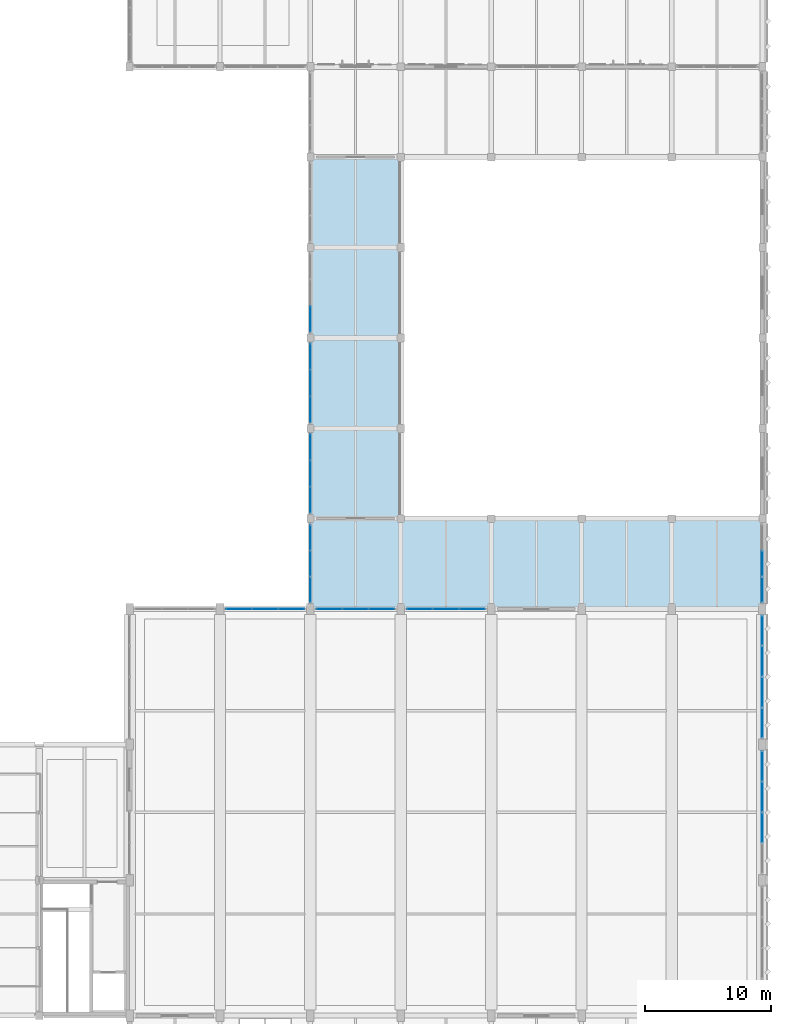
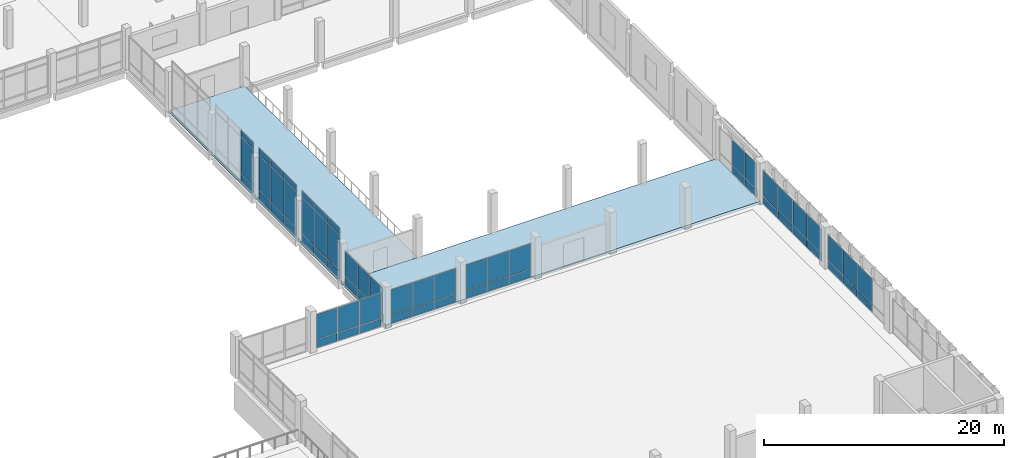
# One storey, part 126 of 158: 63 plates, 2 slabs, 10 elements without a shape of their own.
"""IFC4 building model written with IfcOpenShell, lengths in metres."""

from ifc_helpers import new_model, si_unit, direction, frame, origin, origin_2d, place, context, subcontext, project, spatial, polyline, rectangle, outline, extrude, material, layer, layer_set, type_object, element, aggregate, save


model = new_model("IFC4")

# Units and contexts
model_context = context("Model", 3, precision=1e-05, world=origin(), true_north=direction((0.0, 1.0)))
body_context = subcontext(model_context, "Body", "Model", "MODEL_VIEW")
ifc_project = project(units=[si_unit("LENGTHUNIT", "METRE"), si_unit("AREAUNIT", "SQUARE_METRE"), si_unit("VOLUMEUNIT", "CUBIC_METRE"), si_unit("PLANEANGLEUNIT", "RADIAN"), si_unit("MASSUNIT", "GRAM", prefix="KILO")], contexts=[model_context])

# Site, building, storey
site_placement = place(None, origin())
site = spatial("IfcSite", under=ifc_project, at=site_placement, CompositionType="ELEMENT")
building_placement = place(site_placement, origin())
building = spatial("IfcBuilding", under=site, at=building_placement, Name="Lusvemor Sports Hall", CompositionType="ELEMENT")
storey_placement = place(building_placement, frame((0.0, 0.0, 10.800048828125)))
storey = spatial("IfcBuildingStorey", under=building, at=storey_placement, Name="L02", CompositionType="ELEMENT", Elevation=10.800048828125)

# Curtain wall, plates
ifc_material_1 = material(Name="Thermally broken bronze-anodized aluminium", Category="aluminium")
curtain_wall_type_1 = type_object("IfcCurtainWallType", Name="CW_COURT_C", PredefinedType="NOTDEFINED", material=ifc_material_1)
curtain_wall_1_placement = place(storey_placement, origin())
curtain_wall_1 = element("IfcCurtainWall", 1, at=curtain_wall_1_placement, inside=storey, type_object=curtain_wall_type_1, Name="Curtain Wall CW-V2N-L02-1", PredefinedType="NOTDEFINED")
ifc_material_2 = material(Name="Solar-control laminated double glazing", Category="glass")
ifc_layer_1 = layer(ifc_material_2, 0.028076171875)
ifc_layer_set_1 = layer_set([ifc_layer_1], Name="Solar-control laminated double glazing")
plate_type_1 = type_object("IfcPlateType", Name="CW_PAN_GLZ_28", PredefinedType="CURTAIN_PANEL", material=ifc_layer_set_1)
plate_1_placement = place(storey_placement, frame((127.509521484375, 39.60009765625, 0.8798828125), z_axis=(0.0, 0.0, 1.0), x_axis=(1.0, 0.0, 0.0)))
plate_1 = element("IfcPlate", 2, at=plate_1_placement, type_object=plate_type_1, Name="CW03 panel 1.2", PredefinedType="CURTAIN_PANEL", context=body_context, shape_type="SweptSolid", body=[
    extrude(rectangle(XDim=2.00927734375, YDim=0.028076171875, at=origin_2d()), origin(), (0.0, 0.0, 1.0), 2.56005859375),
])
plate_2_placement = place(storey_placement, frame((129.60009765625, 39.60009765625, 0.8798828125), z_axis=(0.0, 0.0, 1.0), x_axis=(1.0, 0.0, 0.0)))
plate_2 = element("IfcPlate", 3, at=plate_2_placement, type_object=plate_type_1, Name="CW03 panel 2.2", PredefinedType="CURTAIN_PANEL", context=body_context, shape_type="SweptSolid", body=[
    extrude(rectangle(XDim=2.041748046875, YDim=0.028076171875, at=origin_2d()), origin(), (0.0, 0.0, 1.0), 2.56005859375),
])
plate_3_placement = place(storey_placement, frame((131.6904296875, 39.60009765625, 0.8798828125), z_axis=(0.0, 0.0, 1.0), x_axis=(1.0, 0.0, 0.0)))
plate_3 = element("IfcPlate", 4, at=plate_3_placement, type_object=plate_type_1, Name="CW03 panel 3.2", PredefinedType="CURTAIN_PANEL", context=body_context, shape_type="SweptSolid", body=[
    extrude(rectangle(XDim=2.00927734375, YDim=0.028076171875, at=origin_2d()), origin(), (0.0, 0.0, 1.0), 2.56005859375),
])

curtain_wall_2_placement = place(storey_placement, origin())
curtain_wall_2 = element("IfcCurtainWall", 5, at=curtain_wall_2_placement, inside=storey, type_object=curtain_wall_type_1, Name="Curtain Wall CW-V2N-L02-2", PredefinedType="NOTDEFINED")
plate_4_placement = place(storey_placement, frame((134.70947265625, 39.60009765625, 0.8798828125), z_axis=(0.0, 0.0, 1.0), x_axis=(1.0, 0.0, 0.0)))
plate_4 = element("IfcPlate", 6, at=plate_4_placement, type_object=plate_type_1, Name="CW03 panel 1.2", PredefinedType="CURTAIN_PANEL", context=body_context, shape_type="SweptSolid", body=[
    extrude(rectangle(XDim=2.00927734375, YDim=0.028076171875, at=origin_2d()), origin(), (0.0, 0.0, 1.0), 2.56005859375),
])
plate_5_placement = place(storey_placement, frame((136.800048828125, 39.60009765625, 0.8798828125), z_axis=(0.0, 0.0, 1.0), x_axis=(1.0, 0.0, 0.0)))
plate_5 = element("IfcPlate", 7, at=plate_5_placement, type_object=plate_type_1, Name="CW03 panel 2.2", PredefinedType="CURTAIN_PANEL", context=body_context, shape_type="SweptSolid", body=[
    extrude(rectangle(XDim=2.041748046875, YDim=0.028076171875, at=origin_2d()), origin(), (0.0, 0.0, 1.0), 2.56005859375),
])
plate_6_placement = place(storey_placement, frame((138.890380859375, 39.60009765625, 0.8798828125), z_axis=(0.0, 0.0, 1.0), x_axis=(1.0, 0.0, 0.0)))
plate_6 = element("IfcPlate", 8, at=plate_6_placement, type_object=plate_type_1, Name="CW03 panel 3.2", PredefinedType="CURTAIN_PANEL", context=body_context, shape_type="SweptSolid", body=[
    extrude(rectangle(XDim=2.00927734375, YDim=0.028076171875, at=origin_2d()), origin(), (0.0, 0.0, 1.0), 2.56005859375),
])

curtain_wall_3_placement = place(storey_placement, origin())
curtain_wall_3 = element("IfcCurtainWall", 9, at=curtain_wall_3_placement, inside=storey, type_object=curtain_wall_type_1, Name="Curtain Wall CW-V2N-L02-3", PredefinedType="NOTDEFINED")
plate_7_placement = place(storey_placement, frame((141.90966796875, 39.60009765625, 0.8798828125), z_axis=(0.0, 0.0, 1.0), x_axis=(1.0, 0.0, 0.0)))
plate_7 = element("IfcPlate", 10, at=plate_7_placement, type_object=plate_type_1, Name="CW03 panel 1.2", PredefinedType="CURTAIN_PANEL", context=body_context, shape_type="SweptSolid", body=[
    extrude(rectangle(XDim=2.00927734375, YDim=0.028076171875, at=origin_2d()), origin(), (0.0, 0.0, 1.0), 2.56005859375),
])
plate_8_placement = place(storey_placement, frame((144.0, 39.60009765625, 0.8798828125), z_axis=(0.0, 0.0, 1.0), x_axis=(1.0, 0.0, 0.0)))
plate_8 = element("IfcPlate", 11, at=plate_8_placement, type_object=plate_type_1, Name="CW03 panel 2.2", PredefinedType="CURTAIN_PANEL", context=body_context, shape_type="SweptSolid", body=[
    extrude(rectangle(XDim=2.041748046875, YDim=0.028076171875, at=origin_2d()), origin(), (0.0, 0.0, 1.0), 2.56005859375),
])
plate_9_placement = place(storey_placement, frame((146.09033203125, 39.60009765625, 0.8798828125), z_axis=(0.0, 0.0, 1.0), x_axis=(1.0, 0.0, 0.0)))
plate_9 = element("IfcPlate", 12, at=plate_9_placement, type_object=plate_type_1, Name="CW03 panel 3.2", PredefinedType="CURTAIN_PANEL", context=body_context, shape_type="SweptSolid", body=[
    extrude(rectangle(XDim=2.00927734375, YDim=0.028076171875, at=origin_2d()), origin(), (0.0, 0.0, 1.0), 2.56005859375),
])

curtain_wall_4_placement = place(storey_placement, origin())
curtain_wall_4 = element("IfcCurtainWall", 13, at=curtain_wall_4_placement, inside=storey, type_object=curtain_wall_type_1, Name="Curtain Wall CW-V2E-L02-2", PredefinedType="NOTDEFINED")
plate_10_placement = place(storey_placement, frame((169.199951171875, 27.07373046875, 0.8798828125), z_axis=(0.0, 0.0, 1.0), x_axis=(0.0, -1.0, 0.0)))
plate_10 = element("IfcPlate", 14, at=plate_10_placement, type_object=plate_type_1, Name="CW03 panel 1.2", PredefinedType="CURTAIN_PANEL", context=body_context, shape_type="SweptSolid", body=[
    extrude(rectangle(XDim=2.362548828125, YDim=0.028076171875, at=origin_2d()), origin(), (0.0, 0.0, 1.0), 2.56005859375),
])
plate_11_placement = place(storey_placement, frame((169.199951171875, 24.6298828125, 0.8798828125), z_axis=(0.0, 0.0, 1.0), x_axis=(0.0, -1.0, 0.0)))
plate_11 = element("IfcPlate", 15, at=plate_11_placement, type_object=plate_type_1, Name="CW03 panel 2.2", PredefinedType="CURTAIN_PANEL", context=body_context, shape_type="SweptSolid", body=[
    extrude(rectangle(XDim=2.39501953125, YDim=0.028076171875, at=origin_2d()), origin(), (0.0, 0.0, 1.0), 2.56005859375),
])
plate_12_placement = place(storey_placement, frame((169.199951171875, 22.169921875, 0.8798828125), z_axis=(0.0, 0.0, 1.0), x_axis=(0.0, -1.0, 0.0)))
plate_12 = element("IfcPlate", 16, at=plate_12_placement, type_object=plate_type_1, Name="CW03 panel 3.2", PredefinedType="CURTAIN_PANEL", context=body_context, shape_type="SweptSolid", body=[
    extrude(rectangle(XDim=2.39501953125, YDim=0.028076171875, at=origin_2d()), origin(), (0.0, 0.0, 1.0), 2.56005859375),
])

curtain_wall_5_placement = place(storey_placement, origin())
curtain_wall_5 = element("IfcCurtainWall", 17, at=curtain_wall_5_placement, inside=storey, type_object=curtain_wall_type_1, Name="Curtain Wall CW-V2E-L02-3", PredefinedType="NOTDEFINED")
plate_13_placement = place(storey_placement, frame((169.199951171875, 37.873779296875, 0.8798828125), z_axis=(0.0, 0.0, 1.0), x_axis=(0.0, -1.0, 0.0)))
plate_13 = element("IfcPlate", 18, at=plate_13_placement, type_object=plate_type_1, Name="CW03 panel 1.2", PredefinedType="CURTAIN_PANEL", context=body_context, shape_type="SweptSolid", body=[
    extrude(rectangle(XDim=2.362548828125, YDim=0.028076171875, at=origin_2d()), origin(), (0.0, 0.0, 1.0), 2.56005859375),
])
plate_14_placement = place(storey_placement, frame((169.199951171875, 35.429931640625, 0.8798828125), z_axis=(0.0, 0.0, 1.0), x_axis=(0.0, -1.0, 0.0)))
plate_14 = element("IfcPlate", 19, at=plate_14_placement, type_object=plate_type_1, Name="CW03 panel 2.2", PredefinedType="CURTAIN_PANEL", context=body_context, shape_type="SweptSolid", body=[
    extrude(rectangle(XDim=2.39501953125, YDim=0.028076171875, at=origin_2d()), origin(), (0.0, 0.0, 1.0), 2.56005859375),
])
plate_15_placement = place(storey_placement, frame((169.199951171875, 32.969970703125, 0.8798828125), z_axis=(0.0, 0.0, 1.0), x_axis=(0.0, -1.0, 0.0)))
plate_15 = element("IfcPlate", 20, at=plate_15_placement, type_object=plate_type_1, Name="CW03 panel 3.2", PredefinedType="CURTAIN_PANEL", context=body_context, shape_type="SweptSolid", body=[
    extrude(rectangle(XDim=2.39501953125, YDim=0.028076171875, at=origin_2d()), origin(), (0.0, 0.0, 1.0), 2.56005859375),
])
plate_16_placement = place(storey_placement, frame((169.199951171875, 30.5263671875, 0.8798828125), z_axis=(0.0, 0.0, 1.0), x_axis=(0.0, -1.0, 0.0)))
plate_16 = element("IfcPlate", 21, at=plate_16_placement, type_object=plate_type_1, Name="CW03 panel 4.2", PredefinedType="CURTAIN_PANEL", context=body_context, shape_type="SweptSolid", body=[
    extrude(rectangle(XDim=2.362548828125, YDim=0.028076171875, at=origin_2d()), origin(), (0.0, 0.0, 1.0), 2.56005859375),
])

ifc_material_3 = material(Name="Thermally broken bronze-anodized aluminium", Category="aluminium")
curtain_wall_type_2 = type_object("IfcCurtainWallType", Name="CW_CLIMB_D", PredefinedType="NOTDEFINED", material=ifc_material_3)
curtain_wall_6_placement = place(storey_placement, origin())
curtain_wall_6 = element("IfcCurtainWall", 22, at=curtain_wall_6_placement, inside=storey, type_object=curtain_wall_type_2, Name="Curtain Wall CW-V3W-L02-0", PredefinedType="NOTDEFINED")
plate_17_placement = place(storey_placement, frame((133.199951171875, 48.296142578125, 0.8798828125), z_axis=(0.0, 0.0, 1.0), x_axis=(0.0, 1.0, 0.0)))
plate_17 = element("IfcPlate", 23, at=plate_17_placement, type_object=plate_type_1, Name="CW04 panel 1.2", PredefinedType="CURTAIN_PANEL", context=body_context, shape_type="SweptSolid", body=[
    extrude(rectangle(XDim=2.0224609375, YDim=0.028076171875, at=origin_2d()), origin(), (0.0, 0.0, 1.0), 3.639892578125),
])
plate_18_placement = place(storey_placement, frame((133.199951171875, 48.296142578125, 4.580078125), z_axis=(0.0, 0.0, 1.0), x_axis=(0.0, 1.0, 0.0)))
plate_18 = element("IfcPlate", 24, at=plate_18_placement, type_object=plate_type_1, Name="CW04 panel 1.3", PredefinedType="CURTAIN_PANEL", context=body_context, shape_type="SweptSolid", body=[
    extrude(rectangle(XDim=2.0224609375, YDim=0.028076171875, at=origin_2d()), origin(), (0.0, 0.0, 1.0), 0.659912109375),
])
plate_19_placement = place(storey_placement, frame((133.199951171875, 50.39990234375, 0.8798828125), z_axis=(0.0, 0.0, 1.0), x_axis=(0.0, 1.0, 0.0)))
plate_19 = element("IfcPlate", 25, at=plate_19_placement, type_object=plate_type_1, Name="CW04 panel 2.2", PredefinedType="CURTAIN_PANEL", context=body_context, shape_type="SweptSolid", body=[
    extrude(rectangle(XDim=2.054931640625, YDim=0.028076171875, at=origin_2d()), origin(), (0.0, 0.0, 1.0), 3.639892578125),
])
plate_20_placement = place(storey_placement, frame((133.199951171875, 50.39990234375, 4.580078125), z_axis=(0.0, 0.0, 1.0), x_axis=(0.0, 1.0, 0.0)))
plate_20 = element("IfcPlate", 26, at=plate_20_placement, type_object=plate_type_1, Name="CW04 panel 2.3", PredefinedType="CURTAIN_PANEL", context=body_context, shape_type="SweptSolid", body=[
    extrude(rectangle(XDim=2.054931640625, YDim=0.028076171875, at=origin_2d()), origin(), (0.0, 0.0, 1.0), 0.659912109375),
])
plate_21_placement = place(storey_placement, frame((133.199951171875, 52.503662109375, 0.8798828125), z_axis=(0.0, 0.0, 1.0), x_axis=(0.0, 1.0, 0.0)))
plate_21 = element("IfcPlate", 27, at=plate_21_placement, type_object=plate_type_1, Name="CW04 panel 3.2", PredefinedType="CURTAIN_PANEL", context=body_context, shape_type="SweptSolid", body=[
    extrude(rectangle(XDim=2.0224609375, YDim=0.028076171875, at=origin_2d()), origin(), (0.0, 0.0, 1.0), 3.639892578125),
])
plate_22_placement = place(storey_placement, frame((133.199951171875, 52.503662109375, 4.580078125), z_axis=(0.0, 0.0, 1.0), x_axis=(0.0, 1.0, 0.0)))
plate_22 = element("IfcPlate", 28, at=plate_22_placement, type_object=plate_type_1, Name="CW04 panel 3.3", PredefinedType="CURTAIN_PANEL", context=body_context, shape_type="SweptSolid", body=[
    extrude(rectangle(XDim=2.0224609375, YDim=0.028076171875, at=origin_2d()), origin(), (0.0, 0.0, 1.0), 0.659912109375),
])

curtain_wall_7_placement = place(storey_placement, origin())
curtain_wall_7 = element("IfcCurtainWall", 29, at=curtain_wall_7_placement, inside=storey, type_object=curtain_wall_type_2, Name="Curtain Wall CW-V3W-L02-1", PredefinedType="NOTDEFINED")
plate_23_placement = place(storey_placement, frame((133.199951171875, 55.496337890625, 0.8798828125), z_axis=(0.0, 0.0, 1.0), x_axis=(0.0, 1.0, 0.0)))
plate_23 = element("IfcPlate", 30, at=plate_23_placement, type_object=plate_type_1, Name="CW04 panel 1.2", PredefinedType="CURTAIN_PANEL", context=body_context, shape_type="SweptSolid", body=[
    extrude(rectangle(XDim=2.0224609375, YDim=0.028076171875, at=origin_2d()), origin(), (0.0, 0.0, 1.0), 3.639892578125),
])
plate_24_placement = place(storey_placement, frame((133.199951171875, 55.496337890625, 4.580078125), z_axis=(0.0, 0.0, 1.0), x_axis=(0.0, 1.0, 0.0)))
plate_24 = element("IfcPlate", 31, at=plate_24_placement, type_object=plate_type_1, Name="CW04 panel 1.3", PredefinedType="CURTAIN_PANEL", context=body_context, shape_type="SweptSolid", body=[
    extrude(rectangle(XDim=2.0224609375, YDim=0.028076171875, at=origin_2d()), origin(), (0.0, 0.0, 1.0), 0.659912109375),
])
plate_25_placement = place(storey_placement, frame((133.199951171875, 57.60009765625, 0.8798828125), z_axis=(0.0, 0.0, 1.0), x_axis=(0.0, 1.0, 0.0)))
plate_25 = element("IfcPlate", 32, at=plate_25_placement, type_object=plate_type_1, Name="CW04 panel 2.2", PredefinedType="CURTAIN_PANEL", context=body_context, shape_type="SweptSolid", body=[
    extrude(rectangle(XDim=2.054931640625, YDim=0.028076171875, at=origin_2d()), origin(), (0.0, 0.0, 1.0), 3.639892578125),
])
plate_26_placement = place(storey_placement, frame((133.199951171875, 57.60009765625, 4.580078125), z_axis=(0.0, 0.0, 1.0), x_axis=(0.0, 1.0, 0.0)))
plate_26 = element("IfcPlate", 33, at=plate_26_placement, type_object=plate_type_1, Name="CW04 panel 2.3", PredefinedType="CURTAIN_PANEL", context=body_context, shape_type="SweptSolid", body=[
    extrude(rectangle(XDim=2.054931640625, YDim=0.028076171875, at=origin_2d()), origin(), (0.0, 0.0, 1.0), 0.659912109375),
])
plate_27_placement = place(storey_placement, frame((133.199951171875, 59.703857421875, 0.8798828125), z_axis=(0.0, 0.0, 1.0), x_axis=(0.0, 1.0, 0.0)))
plate_27 = element("IfcPlate", 34, at=plate_27_placement, type_object=plate_type_1, Name="CW04 panel 3.2", PredefinedType="CURTAIN_PANEL", context=body_context, shape_type="SweptSolid", body=[
    extrude(rectangle(XDim=2.0224609375, YDim=0.028076171875, at=origin_2d()), origin(), (0.0, 0.0, 1.0), 3.639892578125),
])
plate_28_placement = place(storey_placement, frame((133.199951171875, 59.703857421875, 4.580078125), z_axis=(0.0, 0.0, 1.0), x_axis=(0.0, 1.0, 0.0)))
plate_28 = element("IfcPlate", 35, at=plate_28_placement, type_object=plate_type_1, Name="CW04 panel 3.3", PredefinedType="CURTAIN_PANEL", context=body_context, shape_type="SweptSolid", body=[
    extrude(rectangle(XDim=2.0224609375, YDim=0.028076171875, at=origin_2d()), origin(), (0.0, 0.0, 1.0), 0.659912109375),
])

curtain_wall_8_placement = place(storey_placement, origin())
curtain_wall_8 = element("IfcCurtainWall", 36, at=curtain_wall_8_placement, inside=storey, type_object=curtain_wall_type_2, Name="Curtain Wall CW-V3W-L02-2", PredefinedType="NOTDEFINED")
plate_29_placement = place(storey_placement, frame((133.199951171875, 62.6962890625, 0.8798828125), z_axis=(0.0, 0.0, 1.0), x_axis=(0.0, 1.0, 0.0)))
plate_29 = element("IfcPlate", 37, at=plate_29_placement, type_object=plate_type_1, Name="CW04 panel 1.2", PredefinedType="CURTAIN_PANEL", context=body_context, shape_type="SweptSolid", body=[
    extrude(rectangle(XDim=2.0224609375, YDim=0.028076171875, at=origin_2d()), origin(), (0.0, 0.0, 1.0), 3.639892578125),
])
plate_30_placement = place(storey_placement, frame((133.199951171875, 62.6962890625, 4.580078125), z_axis=(0.0, 0.0, 1.0), x_axis=(0.0, 1.0, 0.0)))
plate_30 = element("IfcPlate", 38, at=plate_30_placement, type_object=plate_type_1, Name="CW04 panel 1.3", PredefinedType="CURTAIN_PANEL", context=body_context, shape_type="SweptSolid", body=[
    extrude(rectangle(XDim=2.0224609375, YDim=0.028076171875, at=origin_2d()), origin(), (0.0, 0.0, 1.0), 0.659912109375),
])

ifc_material_4 = material(Name="Thermally broken bronze-anodized aluminium", Category="aluminium")
curtain_wall_type_3 = type_object("IfcCurtainWallType", Name="CW_PASSAGE_E", PredefinedType="NOTDEFINED", material=ifc_material_4)
curtain_wall_9_placement = place(storey_placement, origin())
curtain_wall_9 = element("IfcCurtainWall", 39, at=curtain_wall_9_placement, inside=storey, type_object=curtain_wall_type_3, Name="Curtain Wall CW-ELINK-133-L02", PredefinedType="NOTDEFINED")
plate_31_placement = place(storey_placement, frame((133.199951171875, 41.142822265625, 0.8798828125), z_axis=(0.0, 0.0, 1.0), x_axis=(0.0, 1.0, 0.0)))
plate_31 = element("IfcPlate", 40, at=plate_31_placement, type_object=plate_type_1, Name="CW05 panel 1.2", PredefinedType="CURTAIN_PANEL", context=body_context, shape_type="SweptSolid", body=[
    extrude(rectangle(XDim=1.995849609375, YDim=0.028076171875, at=origin_2d()), origin(), (0.0, 0.0, 1.0), 2.56005859375),
])
plate_32_placement = place(storey_placement, frame((133.199951171875, 43.219970703125, 0.8798828125), z_axis=(0.0, 0.0, 1.0), x_axis=(0.0, 1.0, 0.0)))
plate_32 = element("IfcPlate", 41, at=plate_32_placement, type_object=plate_type_1, Name="CW05 panel 2.2", PredefinedType="CURTAIN_PANEL", context=body_context, shape_type="SweptSolid", body=[
    extrude(rectangle(XDim=2.0283203125, YDim=0.028076171875, at=origin_2d()), origin(), (0.0, 0.0, 1.0), 2.56005859375),
])
plate_33_placement = place(storey_placement, frame((133.199951171875, 45.297119140625, 0.8798828125), z_axis=(0.0, 0.0, 1.0), x_axis=(0.0, 1.0, 0.0)))
plate_33 = element("IfcPlate", 42, at=plate_33_placement, type_object=plate_type_1, Name="CW05 panel 3.2", PredefinedType="CURTAIN_PANEL", context=body_context, shape_type="SweptSolid", body=[
    extrude(rectangle(XDim=1.995849609375, YDim=0.028076171875, at=origin_2d()), origin(), (0.0, 0.0, 1.0), 2.56005859375),
])

curtain_wall_10_placement = place(storey_placement, origin())
curtain_wall_10 = element("IfcCurtainWall", 43, at=curtain_wall_10_placement, inside=storey, type_object=curtain_wall_type_3, Name="Curtain Wall CW-ELINK-169-L02", PredefinedType="NOTDEFINED")
plate_34_placement = place(storey_placement, frame((169.199951171875, 41.142822265625, 0.8798828125), z_axis=(0.0, 0.0, 1.0), x_axis=(0.0, 1.0, 0.0)))
plate_34 = element("IfcPlate", 44, at=plate_34_placement, type_object=plate_type_1, Name="CW05 panel 1.2", PredefinedType="CURTAIN_PANEL", context=body_context, shape_type="SweptSolid", body=[
    extrude(rectangle(XDim=1.995849609375, YDim=0.028076171875, at=origin_2d()), origin(), (0.0, 0.0, 1.0), 2.56005859375),
])
plate_35_placement = place(storey_placement, frame((169.199951171875, 43.219970703125, 0.8798828125), z_axis=(0.0, 0.0, 1.0), x_axis=(0.0, 1.0, 0.0)))
plate_35 = element("IfcPlate", 45, at=plate_35_placement, type_object=plate_type_1, Name="CW05 panel 2.2", PredefinedType="CURTAIN_PANEL", context=body_context, shape_type="SweptSolid", body=[
    extrude(rectangle(XDim=2.0283203125, YDim=0.028076171875, at=origin_2d()), origin(), (0.0, 0.0, 1.0), 2.56005859375),
])

# Plate
ifc_material_5 = material(Name="Emerald polychrome glazed ceramic cladding on Concrete C40/50 backing", Category="concrete")
ifc_layer_2 = layer(ifc_material_5, 0.048095703125)
ifc_layer_set_2 = layer_set([ifc_layer_2], Name="Emerald polychrome glazed ceramic cladding on Concrete C40/50 backing")
plate_type_2 = type_object("IfcPlateType", Name="CW_PAN_SPN_48", PredefinedType="CURTAIN_PANEL", material=ifc_layer_set_2)
plate_36_placement = place(storey_placement, frame((127.509521484375, 39.60009765625, 0.06005859375), z_axis=(0.0, 0.0, 1.0), x_axis=(1.0, 0.0, 0.0)))
plate_36 = element("IfcPlate", 46, at=plate_36_placement, type_object=plate_type_2, Name="CW03 panel 1.1", PredefinedType="CURTAIN_PANEL", context=body_context, shape_type="SweptSolid", body=[
    extrude(rectangle(XDim=2.00927734375, YDim=0.048095703125, at=origin_2d()), origin(), (0.0, 0.0, 1.0), 0.760009765625),
])

plate_37_placement = place(storey_placement, frame((129.60009765625, 39.60009765625, 0.06005859375), z_axis=(0.0, 0.0, 1.0), x_axis=(1.0, 0.0, 0.0)))
plate_37 = element("IfcPlate", 47, at=plate_37_placement, type_object=plate_type_2, Name="CW03 panel 2.1", PredefinedType="CURTAIN_PANEL", context=body_context, shape_type="SweptSolid", body=[
    extrude(rectangle(XDim=2.041748046875, YDim=0.048095703125, at=origin_2d()), origin(), (0.0, 0.0, 1.0), 0.760009765625),
])

plate_38_placement = place(storey_placement, frame((131.6904296875, 39.60009765625, 0.06005859375), z_axis=(0.0, 0.0, 1.0), x_axis=(1.0, 0.0, 0.0)))
plate_38 = element("IfcPlate", 48, at=plate_38_placement, type_object=plate_type_2, Name="CW03 panel 3.1", PredefinedType="CURTAIN_PANEL", context=body_context, shape_type="SweptSolid", body=[
    extrude(rectangle(XDim=2.00927734375, YDim=0.048095703125, at=origin_2d()), origin(), (0.0, 0.0, 1.0), 0.760009765625),
])

aggregate(curtain_wall_1, [plate_36, plate_1, plate_37, plate_2, plate_38, plate_3])

plate_39_placement = place(storey_placement, frame((134.70947265625, 39.60009765625, 0.06005859375), z_axis=(0.0, 0.0, 1.0), x_axis=(1.0, 0.0, 0.0)))
plate_39 = element("IfcPlate", 49, at=plate_39_placement, type_object=plate_type_2, Name="CW03 panel 1.1", PredefinedType="CURTAIN_PANEL", context=body_context, shape_type="SweptSolid", body=[
    extrude(rectangle(XDim=2.00927734375, YDim=0.048095703125, at=origin_2d()), origin(), (0.0, 0.0, 1.0), 0.760009765625),
])

plate_40_placement = place(storey_placement, frame((136.800048828125, 39.60009765625, 0.06005859375), z_axis=(0.0, 0.0, 1.0), x_axis=(1.0, 0.0, 0.0)))
plate_40 = element("IfcPlate", 50, at=plate_40_placement, type_object=plate_type_2, Name="CW03 panel 2.1", PredefinedType="CURTAIN_PANEL", context=body_context, shape_type="SweptSolid", body=[
    extrude(rectangle(XDim=2.041748046875, YDim=0.048095703125, at=origin_2d()), origin(), (0.0, 0.0, 1.0), 0.760009765625),
])

plate_41_placement = place(storey_placement, frame((138.890380859375, 39.60009765625, 0.06005859375), z_axis=(0.0, 0.0, 1.0), x_axis=(1.0, 0.0, 0.0)))
plate_41 = element("IfcPlate", 51, at=plate_41_placement, type_object=plate_type_2, Name="CW03 panel 3.1", PredefinedType="CURTAIN_PANEL", context=body_context, shape_type="SweptSolid", body=[
    extrude(rectangle(XDim=2.00927734375, YDim=0.048095703125, at=origin_2d()), origin(), (0.0, 0.0, 1.0), 0.760009765625),
])

aggregate(curtain_wall_2, [plate_39, plate_4, plate_40, plate_5, plate_41, plate_6])

plate_42_placement = place(storey_placement, frame((141.90966796875, 39.60009765625, 0.06005859375), z_axis=(0.0, 0.0, 1.0), x_axis=(1.0, 0.0, 0.0)))
plate_42 = element("IfcPlate", 52, at=plate_42_placement, type_object=plate_type_2, Name="CW03 panel 1.1", PredefinedType="CURTAIN_PANEL", context=body_context, shape_type="SweptSolid", body=[
    extrude(rectangle(XDim=2.00927734375, YDim=0.048095703125, at=origin_2d()), origin(), (0.0, 0.0, 1.0), 0.760009765625),
])

plate_43_placement = place(storey_placement, frame((144.0, 39.60009765625, 0.06005859375), z_axis=(0.0, 0.0, 1.0), x_axis=(1.0, 0.0, 0.0)))
plate_43 = element("IfcPlate", 53, at=plate_43_placement, type_object=plate_type_2, Name="CW03 panel 2.1", PredefinedType="CURTAIN_PANEL", context=body_context, shape_type="SweptSolid", body=[
    extrude(rectangle(XDim=2.041748046875, YDim=0.048095703125, at=origin_2d()), origin(), (0.0, 0.0, 1.0), 0.760009765625),
])

plate_44_placement = place(storey_placement, frame((146.09033203125, 39.60009765625, 0.06005859375), z_axis=(0.0, 0.0, 1.0), x_axis=(1.0, 0.0, 0.0)))
plate_44 = element("IfcPlate", 54, at=plate_44_placement, type_object=plate_type_2, Name="CW03 panel 3.1", PredefinedType="CURTAIN_PANEL", context=body_context, shape_type="SweptSolid", body=[
    extrude(rectangle(XDim=2.00927734375, YDim=0.048095703125, at=origin_2d()), origin(), (0.0, 0.0, 1.0), 0.760009765625),
])

aggregate(curtain_wall_3, [plate_42, plate_7, plate_43, plate_8, plate_44, plate_9])

plate_45_placement = place(storey_placement, frame((169.199951171875, 27.07373046875, 0.06005859375), z_axis=(0.0, 0.0, 1.0), x_axis=(0.0, -1.0, 0.0)))
plate_45 = element("IfcPlate", 55, at=plate_45_placement, type_object=plate_type_2, Name="CW03 panel 1.1", PredefinedType="CURTAIN_PANEL", context=body_context, shape_type="SweptSolid", body=[
    extrude(rectangle(XDim=2.362548828125, YDim=0.048095703125, at=origin_2d()), origin(), (0.0, 0.0, 1.0), 0.760009765625),
])

plate_46_placement = place(storey_placement, frame((169.199951171875, 24.6298828125, 0.06005859375), z_axis=(0.0, 0.0, 1.0), x_axis=(0.0, -1.0, 0.0)))
plate_46 = element("IfcPlate", 56, at=plate_46_placement, type_object=plate_type_2, Name="CW03 panel 2.1", PredefinedType="CURTAIN_PANEL", context=body_context, shape_type="SweptSolid", body=[
    extrude(rectangle(XDim=2.39501953125, YDim=0.048095703125, at=origin_2d()), origin(), (0.0, 0.0, 1.0), 0.760009765625),
])

plate_47_placement = place(storey_placement, frame((169.199951171875, 22.169921875, 0.06005859375), z_axis=(0.0, 0.0, 1.0), x_axis=(0.0, -1.0, 0.0)))
plate_47 = element("IfcPlate", 57, at=plate_47_placement, type_object=plate_type_2, Name="CW03 panel 3.1", PredefinedType="CURTAIN_PANEL", context=body_context, shape_type="SweptSolid", body=[
    extrude(rectangle(XDim=2.39501953125, YDim=0.048095703125, at=origin_2d()), origin(), (0.0, 0.0, 1.0), 0.760009765625),
])

aggregate(curtain_wall_4, [plate_45, plate_10, plate_46, plate_11, plate_47, plate_12])

plate_48_placement = place(storey_placement, frame((169.199951171875, 37.873779296875, 0.06005859375), z_axis=(0.0, 0.0, 1.0), x_axis=(0.0, -1.0, 0.0)))
plate_48 = element("IfcPlate", 58, at=plate_48_placement, type_object=plate_type_2, Name="CW03 panel 1.1", PredefinedType="CURTAIN_PANEL", context=body_context, shape_type="SweptSolid", body=[
    extrude(rectangle(XDim=2.362548828125, YDim=0.048095703125, at=origin_2d()), origin(), (0.0, 0.0, 1.0), 0.760009765625),
])

plate_49_placement = place(storey_placement, frame((169.199951171875, 35.429931640625, 0.06005859375), z_axis=(0.0, 0.0, 1.0), x_axis=(0.0, -1.0, 0.0)))
plate_49 = element("IfcPlate", 59, at=plate_49_placement, type_object=plate_type_2, Name="CW03 panel 2.1", PredefinedType="CURTAIN_PANEL", context=body_context, shape_type="SweptSolid", body=[
    extrude(rectangle(XDim=2.39501953125, YDim=0.048095703125, at=origin_2d()), origin(), (0.0, 0.0, 1.0), 0.760009765625),
])

plate_50_placement = place(storey_placement, frame((169.199951171875, 32.969970703125, 0.06005859375), z_axis=(0.0, 0.0, 1.0), x_axis=(0.0, -1.0, 0.0)))
plate_50 = element("IfcPlate", 60, at=plate_50_placement, type_object=plate_type_2, Name="CW03 panel 3.1", PredefinedType="CURTAIN_PANEL", context=body_context, shape_type="SweptSolid", body=[
    extrude(rectangle(XDim=2.39501953125, YDim=0.048095703125, at=origin_2d()), origin(), (0.0, 0.0, 1.0), 0.760009765625),
])

plate_51_placement = place(storey_placement, frame((169.199951171875, 30.5263671875, 0.06005859375), z_axis=(0.0, 0.0, 1.0), x_axis=(0.0, -1.0, 0.0)))
plate_51 = element("IfcPlate", 61, at=plate_51_placement, type_object=plate_type_2, Name="CW03 panel 4.1", PredefinedType="CURTAIN_PANEL", context=body_context, shape_type="SweptSolid", body=[
    extrude(rectangle(XDim=2.362548828125, YDim=0.048095703125, at=origin_2d()), origin(), (0.0, 0.0, 1.0), 0.760009765625),
])

aggregate(curtain_wall_5, [plate_48, plate_13, plate_49, plate_14, plate_50, plate_15, plate_51, plate_16])

plate_52_placement = place(storey_placement, frame((133.199951171875, 48.296142578125, 0.06005859375), z_axis=(0.0, 0.0, 1.0), x_axis=(0.0, 1.0, 0.0)))
plate_52 = element("IfcPlate", 62, at=plate_52_placement, type_object=plate_type_2, Name="CW04 panel 1.1", PredefinedType="CURTAIN_PANEL", context=body_context, shape_type="SweptSolid", body=[
    extrude(rectangle(XDim=2.0224609375, YDim=0.048095703125, at=origin_2d()), origin(), (0.0, 0.0, 1.0), 0.760009765625),
])

plate_53_placement = place(storey_placement, frame((133.199951171875, 50.39990234375, 0.06005859375), z_axis=(0.0, 0.0, 1.0), x_axis=(0.0, 1.0, 0.0)))
plate_53 = element("IfcPlate", 63, at=plate_53_placement, type_object=plate_type_2, Name="CW04 panel 2.1", PredefinedType="CURTAIN_PANEL", context=body_context, shape_type="SweptSolid", body=[
    extrude(rectangle(XDim=2.054931640625, YDim=0.048095703125, at=origin_2d()), origin(), (0.0, 0.0, 1.0), 0.760009765625),
])

plate_54_placement = place(storey_placement, frame((133.199951171875, 52.503662109375, 0.06005859375), z_axis=(0.0, 0.0, 1.0), x_axis=(0.0, 1.0, 0.0)))
plate_54 = element("IfcPlate", 64, at=plate_54_placement, type_object=plate_type_2, Name="CW04 panel 3.1", PredefinedType="CURTAIN_PANEL", context=body_context, shape_type="SweptSolid", body=[
    extrude(rectangle(XDim=2.0224609375, YDim=0.048095703125, at=origin_2d()), origin(), (0.0, 0.0, 1.0), 0.760009765625),
])

aggregate(curtain_wall_6, [plate_52, plate_17, plate_18, plate_53, plate_19, plate_20, plate_54, plate_21, plate_22])

plate_55_placement = place(storey_placement, frame((133.199951171875, 55.496337890625, 0.06005859375), z_axis=(0.0, 0.0, 1.0), x_axis=(0.0, 1.0, 0.0)))
plate_55 = element("IfcPlate", 65, at=plate_55_placement, type_object=plate_type_2, Name="CW04 panel 1.1", PredefinedType="CURTAIN_PANEL", context=body_context, shape_type="SweptSolid", body=[
    extrude(rectangle(XDim=2.0224609375, YDim=0.048095703125, at=origin_2d()), origin(), (0.0, 0.0, 1.0), 0.760009765625),
])

plate_56_placement = place(storey_placement, frame((133.199951171875, 57.60009765625, 0.06005859375), z_axis=(0.0, 0.0, 1.0), x_axis=(0.0, 1.0, 0.0)))
plate_56 = element("IfcPlate", 66, at=plate_56_placement, type_object=plate_type_2, Name="CW04 panel 2.1", PredefinedType="CURTAIN_PANEL", context=body_context, shape_type="SweptSolid", body=[
    extrude(rectangle(XDim=2.054931640625, YDim=0.048095703125, at=origin_2d()), origin(), (0.0, 0.0, 1.0), 0.760009765625),
])

plate_57_placement = place(storey_placement, frame((133.199951171875, 59.703857421875, 0.06005859375), z_axis=(0.0, 0.0, 1.0), x_axis=(0.0, 1.0, 0.0)))
plate_57 = element("IfcPlate", 67, at=plate_57_placement, type_object=plate_type_2, Name="CW04 panel 3.1", PredefinedType="CURTAIN_PANEL", context=body_context, shape_type="SweptSolid", body=[
    extrude(rectangle(XDim=2.0224609375, YDim=0.048095703125, at=origin_2d()), origin(), (0.0, 0.0, 1.0), 0.760009765625),
])

aggregate(curtain_wall_7, [plate_55, plate_23, plate_24, plate_56, plate_25, plate_26, plate_57, plate_27, plate_28])

plate_58_placement = place(storey_placement, frame((133.199951171875, 62.6962890625, 0.06005859375), z_axis=(0.0, 0.0, 1.0), x_axis=(0.0, 1.0, 0.0)))
plate_58 = element("IfcPlate", 68, at=plate_58_placement, type_object=plate_type_2, Name="CW04 panel 1.1", PredefinedType="CURTAIN_PANEL", context=body_context, shape_type="SweptSolid", body=[
    extrude(rectangle(XDim=2.0224609375, YDim=0.048095703125, at=origin_2d()), origin(), (0.0, 0.0, 1.0), 0.760009765625),
])

aggregate(curtain_wall_8, [plate_58, plate_29, plate_30])

plate_59_placement = place(storey_placement, frame((133.199951171875, 41.142822265625, 0.06005859375), z_axis=(0.0, 0.0, 1.0), x_axis=(0.0, 1.0, 0.0)))
plate_59 = element("IfcPlate", 69, at=plate_59_placement, type_object=plate_type_2, Name="CW05 panel 1.1", PredefinedType="CURTAIN_PANEL", context=body_context, shape_type="SweptSolid", body=[
    extrude(rectangle(XDim=1.995849609375, YDim=0.048095703125, at=origin_2d()), origin(), (0.0, 0.0, 1.0), 0.760009765625),
])

plate_60_placement = place(storey_placement, frame((133.199951171875, 43.219970703125, 0.06005859375), z_axis=(0.0, 0.0, 1.0), x_axis=(0.0, 1.0, 0.0)))
plate_60 = element("IfcPlate", 70, at=plate_60_placement, type_object=plate_type_2, Name="CW05 panel 2.1", PredefinedType="CURTAIN_PANEL", context=body_context, shape_type="SweptSolid", body=[
    extrude(rectangle(XDim=2.0283203125, YDim=0.048095703125, at=origin_2d()), origin(), (0.0, 0.0, 1.0), 0.760009765625),
])

plate_61_placement = place(storey_placement, frame((133.199951171875, 45.297119140625, 0.06005859375), z_axis=(0.0, 0.0, 1.0), x_axis=(0.0, 1.0, 0.0)))
plate_61 = element("IfcPlate", 71, at=plate_61_placement, type_object=plate_type_2, Name="CW05 panel 3.1", PredefinedType="CURTAIN_PANEL", context=body_context, shape_type="SweptSolid", body=[
    extrude(rectangle(XDim=1.995849609375, YDim=0.048095703125, at=origin_2d()), origin(), (0.0, 0.0, 1.0), 0.760009765625),
])

aggregate(curtain_wall_9, [plate_59, plate_31, plate_60, plate_32, plate_61, plate_33])

plate_62_placement = place(storey_placement, frame((169.199951171875, 41.142822265625, 0.06005859375), z_axis=(0.0, 0.0, 1.0), x_axis=(0.0, 1.0, 0.0)))
plate_62 = element("IfcPlate", 72, at=plate_62_placement, type_object=plate_type_2, Name="CW05 panel 1.1", PredefinedType="CURTAIN_PANEL", context=body_context, shape_type="SweptSolid", body=[
    extrude(rectangle(XDim=1.995849609375, YDim=0.048095703125, at=origin_2d()), origin(), (0.0, 0.0, 1.0), 0.760009765625),
])

plate_63_placement = place(storey_placement, frame((169.199951171875, 43.219970703125, 0.06005859375), z_axis=(0.0, 0.0, 1.0), x_axis=(0.0, 1.0, 0.0)))
plate_63 = element("IfcPlate", 73, at=plate_63_placement, type_object=plate_type_2, Name="CW05 panel 2.1", PredefinedType="CURTAIN_PANEL", context=body_context, shape_type="SweptSolid", body=[
    extrude(rectangle(XDim=2.0283203125, YDim=0.048095703125, at=origin_2d()), origin(), (0.0, 0.0, 1.0), 0.760009765625),
])

aggregate(curtain_wall_10, [plate_62, plate_34, plate_63, plate_35])

# Slabs
ifc_material_6 = material(Name="Concrete C40/50", Category="concrete")
ifc_layer_3 = layer(ifc_material_6, 0.260009765625)
ifc_layer_set_3 = layer_set([ifc_layer_3], Name="Concrete C40/50")
slab_type = type_object("IfcSlabType", Name="SLAB_INT_260", PredefinedType="FLOOR", material=ifc_layer_set_3)
slab_1_placement = place(storey_placement, frame((0.0, 0.0, -0.260009765625)))
element("IfcSlab", 74, at=slab_1_placement, inside=storey, type_object=slab_type, Name="Slab L02 V5-ELINK", PredefinedType="FLOOR", context=body_context, shape_type="SweptSolid", body=[
    extrude(outline(polyline([(133.199951171875, 39.60009765625), (169.199951171875, 39.60009765625), (169.199951171875, 46.800048828125), (133.199951171875, 46.800048828125), (133.199951171875, 39.60009765625)])), origin(), (0.0, 0.0, 1.0), 0.260009765625),
])
slab_2_placement = place(storey_placement, frame((0.0, 0.0, -0.260009765625)))
element("IfcSlab", 75, at=slab_2_placement, inside=storey, type_object=slab_type, Name="Slab L02 V3-UPPER", PredefinedType="FLOOR", context=body_context, shape_type="SweptSolid", body=[
    extrude(outline(polyline([(133.199951171875, 46.800048828125), (140.39990234375, 46.800048828125), (140.39990234375, 75.60009765625), (133.199951171875, 75.60009765625), (133.199951171875, 46.800048828125)])), origin(), (0.0, 0.0, 1.0), 0.260009765625),
])

save(model, "model.ifc")
